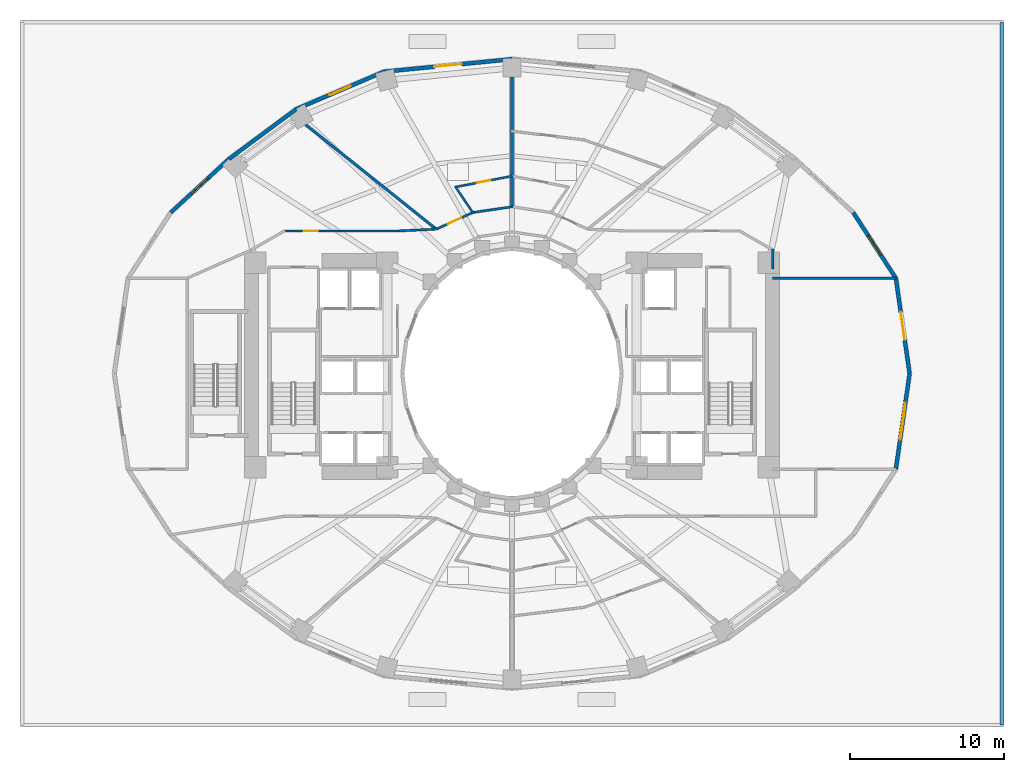
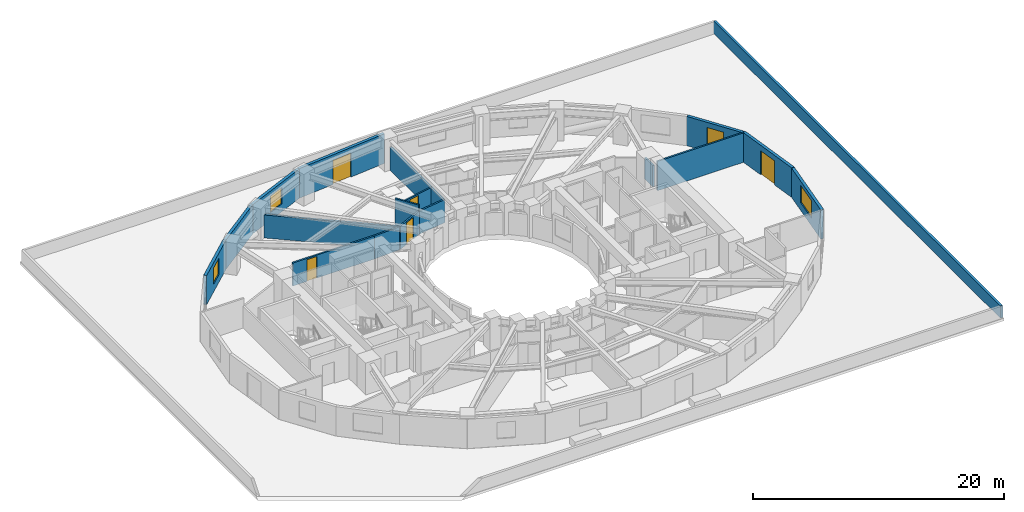
# One storey, part 7 of 10: 18 walls, 5 doors, 4 windows, 9 openings.
"""IFC4 building model written with IfcOpenShell, lengths in metres."""

from ifc_helpers import new_model, si_unit, direction, frame, frame_2d, origin, place, context, subcontext, project, spatial, rectangle, extrude, material, layer, layer_set, type_object, element, fill, save


model = new_model("IFC4")

# Units and contexts
model_context = context("Model", 3, precision=1e-05, world=origin(), true_north=direction((0.0, 1.0)))
body_context = subcontext(model_context, "Body", "Model", "MODEL_VIEW")
ifc_project = project(units=[si_unit("LENGTHUNIT", "METRE"), si_unit("AREAUNIT", "SQUARE_METRE"), si_unit("VOLUMEUNIT", "CUBIC_METRE"), si_unit("PLANEANGLEUNIT", "RADIAN"), si_unit("MASSUNIT", "GRAM", prefix="KILO")], contexts=[model_context])

# Site, building, storey
site_placement = place(None, origin())
site = spatial("IfcSite", under=ifc_project, at=site_placement, CompositionType="ELEMENT")
building_placement = place(site_placement, origin())
building = spatial("IfcBuilding", under=site, at=building_placement, Name="Solvane Sanctuary Tower", CompositionType="ELEMENT")
storey_placement = place(building_placement, frame((0.0, 0.0, 27.60009765625)))
storey = spatial("IfcBuildingStorey", under=building, at=storey_placement, Name="L07", CompositionType="ELEMENT", Elevation=27.60009765625)

# Walls
ifc_material_1 = material(Name="Acoustic Gypsum Partition Board")
ifc_layer_1 = layer(ifc_material_1, 0.14990234375, Name="Acoustic Gypsum Partition Board")
ifc_layer_set_1 = layer_set([ifc_layer_1], Name="Acoustic Gypsum Partition Board")
wall_type_1 = type_object("IfcWallType", Name="Wall W-CORR-150", PredefinedType="PARTITIONING", material=ifc_layer_set_1)
wall_1_placement = place(storey_placement, frame((48.949951171875, 29.211669921875, 0.0), z_axis=(0.0, 0.0, 1.0), x_axis=(1.0, 0.0, 0.0)))
element("IfcWall", 1, at=wall_1_placement, inside=storey, type_object=wall_type_1, Name="L07 East Shoulder North Wall", PredefinedType="PARTITIONING", context=body_context, shape_type="SweptSolid", body=[
    extrude(rectangle(XDim=8.036376953125, YDim=0.14990234375, at=frame_2d((4.01806640625, 0.0))), origin(), (0.0, 0.0, 1.0), 2.85498046875),
])
wall_2_placement = place(storey_placement, frame((48.949951171875, 29.800048828125, 0.0), z_axis=(0.0, 0.0, 1.0), x_axis=(0.0, 1.0, 0.0)))
element("IfcWall", 2, at=wall_2_placement, inside=storey, type_object=wall_type_1, Name="L07 NE Corner Closer 1", PredefinedType="PARTITIONING", context=body_context, shape_type="SweptSolid", body=[
    extrude(rectangle(XDim=1.2900390625, YDim=0.14990234375, at=frame_2d((0.64501953125, 0.0))), origin(), (0.0, 0.0, 1.0), 2.06884765625),
])
wall_3_placement = place(storey_placement, frame((27.02001953125, 32.393798828125, 0.0), z_axis=(0.0, 0.0, 1.0), x_axis=(-0.998877427952, -0.047369651964, 0.0)))
element("IfcWall", 3, at=wall_3_placement, inside=storey, type_object=wall_type_1, Name="L07 NW Corner Throat Wall", PredefinedType="PARTITIONING", context=body_context, shape_type="SweptSolid", body=[
    extrude(rectangle(XDim=2.4326171875, YDim=0.14990234375, at=frame_2d((1.21630859375, 0.0))), origin(), (0.0, 0.0, 1.0), 2.23681640625),
])

# Wall, opening, door
wall_4_placement = place(storey_placement, frame((17.14990234375, 32.280029296875, 0.0), z_axis=(0.0, 0.0, 1.0), x_axis=(1.0, 0.0, 0.0)))
wall_4 = element("IfcWall", 4, at=wall_4_placement, inside=storey, type_object=wall_type_1, Name="L07 NW Corner Corridor Wall", PredefinedType="PARTITIONING", context=body_context, shape_type="SweptSolid", body=[
    extrude(rectangle(XDim=7.52001953125, YDim=0.14990234375, at=frame_2d((3.760009765625, 0.0))), origin(), (0.0, 0.0, 1.0), 2.23681640625),
])
opening_1_placement = place(wall_4_placement, frame((1.300048828125, 0.0, 0.0)))
opening_1 = element("IfcOpeningElement", 5, at=opening_1_placement, cuts=wall_4, Name="Opening D-L07-15", PredefinedType="OPENING", context=body_context, shape_type="SweptSolid", body=[
    extrude(rectangle(XDim=0.89990234375, YDim=2.10009765625, at=frame_2d((0.449951171875, 1.050048828125))), frame((0.0, 0.0849609375, 0.0), z_axis=(0.0, -1.0, 0.0), x_axis=(1.0, 0.0, 0.0)), (0.0, 0.0, 1.0), 0.169921875),
])
ifc_material_2 = material(Name="Engineered Tropical Hardwood", Category="wood")
door_type_1 = type_object("IfcDoorType", Name="Door D-WET-900", OperationType="NOTDEFINED", PredefinedType="DOOR", material=ifc_material_2)
door_1_placement = place(opening_1_placement, origin())
door_1 = element("IfcDoor", 6, at=door_1_placement, inside=storey, type_object=door_type_1, Name="L07 NW Corner Salon Door", OperationType="SINGLE_SWING_LEFT", OverallHeight=2.10009765625, OverallWidth=0.89990234375, PredefinedType="DOOR", context=body_context, shape_type="SweptSolid", body=[
    extrude(rectangle(XDim=0.89990234375, YDim=2.10009765625, at=frame_2d((0.449951171875, 1.050048828125))), frame((0.0, 0.02490234375, 0.0), z_axis=(0.0, -1.0, 0.0), x_axis=(1.0, 0.0, 0.0)), (0.0, 0.0, 1.0), 0.050048828125),
])
fill(opening_1, door_1)

# Wall
wall_5_placement = place(storey_placement, frame((32.049560546875, 33.857177734375, 0.0), z_axis=(0.0, 0.0, 1.0), x_axis=(-0.989649898776, -0.143502884474, 0.0)))
element("IfcWall", 7, at=wall_5_placement, inside=storey, type_object=wall_type_1, Name="L07 En-suite Inner Wall N2", PredefinedType="PARTITIONING", context=body_context, shape_type="SweptSolid", body=[
    extrude(rectangle(XDim=2.676025390625, YDim=0.14990234375, at=frame_2d((1.337890625, 0.0))), origin(), (0.0, 0.0, 1.0), 2.23681640625),
])

# Wall, opening, door
wall_6_placement = place(storey_placement, frame((29.457275390625, 33.482421875, 0.0), z_axis=(0.0, 0.0, 1.0), x_axis=(-0.909747571199, -0.415161843982, 0.0)))
wall_6 = element("IfcWall", 8, at=wall_6_placement, inside=storey, type_object=wall_type_1, Name="L07 Unit Corridor Wall N2", PredefinedType="PARTITIONING", context=body_context, shape_type="SweptSolid", body=[
    extrude(rectangle(XDim=2.625, YDim=0.14990234375, at=frame_2d((1.3125, 0.0))), origin(), (0.0, 0.0, 1.0), 2.23681640625),
])
opening_2_placement = place(wall_6_placement, frame((0.837646484375, 0.0, 0.0)))
opening_2 = element("IfcOpeningElement", 9, at=opening_2_placement, cuts=wall_6, Name="Opening D-L07-22", PredefinedType="OPENING", context=body_context, shape_type="SweptSolid", body=[
    extrude(rectangle(XDim=0.949951171875, YDim=2.10009765625, at=frame_2d((0.47509765625, 1.050048828125))), frame((0.0, 0.0849609375, 0.0), z_axis=(0.0, -1.0, 0.0), x_axis=(1.0, 0.0, 0.0)), (0.0, 0.0, 1.0), 0.169921875),
])
door_type_2 = type_object("IfcDoorType", Name="Door D-ROOM-950", OperationType="NOTDEFINED", PredefinedType="DOOR", material=ifc_material_2)
door_2_placement = place(opening_2_placement, origin())
door_2 = element("IfcDoor", 10, at=door_2_placement, inside=storey, type_object=door_type_2, Name="L07 Unit Entrance Door N2", OperationType="SINGLE_SWING_RIGHT", OverallHeight=2.10009765625, OverallWidth=0.949951171875, PredefinedType="DOOR", context=body_context, shape_type="SweptSolid", body=[
    extrude(rectangle(XDim=0.949951171875, YDim=2.10009765625, at=frame_2d((0.47509765625, 1.050048828125))), frame((0.0, 0.02490234375, 0.0), z_axis=(0.0, -1.0, 0.0), x_axis=(1.0, 0.0, 0.0)), (0.0, 0.0, 1.0), 0.050048828125),
])
fill(opening_2, door_2)

ifc_material_3 = material(Name="Precast concrete C40/50", Category="concrete")
ifc_layer_2 = layer(ifc_material_3, 0.260009765625, Name="Precast concrete C40/50")
ifc_layer_set_2 = layer_set([ifc_layer_2], Name="Precast concrete C40/50")
wall_type_2 = type_object("IfcWallType", Name="Wall W-EXT-250", PredefinedType="STANDARD", material=ifc_layer_set_2)
wall_7_placement = place(storey_placement, frame((57.860107421875, 23.0, 0.0), z_axis=(0.0, 0.0, 1.0), x_axis=(-0.142528001686, 0.989790770181, 0.0)))
wall_7 = element("IfcWall", 11, at=wall_7_placement, inside=storey, type_object=wall_type_2, Name="L07 Terrace Access Facade Wall 00", PredefinedType="STANDARD", context=body_context, shape_type="SweptSolid", body=[
    extrude(rectangle(XDim=6.269287109375, YDim=0.260009765625, at=frame_2d((3.134765625, 0.0))), origin(), (0.0, 0.0, 1.0), 2.8798828125),
])
opening_3_placement = place(wall_7_placement, frame((2.234619140625, 0.0, 0.0)))
opening_3 = element("IfcOpeningElement", 12, at=opening_3_placement, cuts=wall_7, Name="Opening D-L07-01", PredefinedType="OPENING", context=body_context, shape_type="SweptSolid", body=[
    extrude(rectangle(XDim=1.800048828125, YDim=2.35009765625, at=frame_2d((0.89990234375, 1.175048828125))), frame((0.0, 0.139892578125, 0.0), z_axis=(0.0, -1.0, 0.0), x_axis=(1.0, 0.0, 0.0)), (0.0, 0.0, 1.0), 0.280029296875),
])
ifc_material_4 = material(Name="Anodised Aluminium 6063-T6", Category="aluminium")
door_type_3 = type_object("IfcDoorType", Name="Door D-TERR-1800", OperationType="NOTDEFINED", PredefinedType="DOOR", material=ifc_material_4)
door_3_placement = place(opening_3_placement, origin())
door_3 = element("IfcDoor", 13, at=door_3_placement, inside=storey, type_object=door_type_3, Name="L07 Podium Sky Terrace Door 00", OperationType="SINGLE_SWING_RIGHT", OverallHeight=2.35009765625, OverallWidth=1.800048828125, PredefinedType="DOOR", context=body_context, shape_type="SweptSolid", body=[
    extrude(rectangle(XDim=1.800048828125, YDim=2.35009765625, at=frame_2d((0.89990234375, 1.175048828125))), frame((0.0, 0.02490234375, 0.0), z_axis=(0.0, -1.0, 0.0), x_axis=(1.0, 0.0, 0.0)), (0.0, 0.0, 1.0), 0.050048828125),
])
fill(opening_3, door_3)

# Wall, opening, window
wall_8_placement = place(storey_placement, frame((56.966552734375, 29.205322265625, 0.0), z_axis=(0.0, 0.0, 1.0), x_axis=(-0.544578722263, 0.838709732421, 0.0)))
wall_8 = element("IfcWall", 14, at=wall_8_placement, inside=storey, type_object=wall_type_2, Name="L07 Ceramic-Printed Facade Wall 01", PredefinedType="STANDARD", context=body_context, shape_type="SweptSolid", body=[
    extrude(rectangle(XDim=5.091552734375, YDim=0.260009765625, at=frame_2d((2.5458984375, 0.0))), origin(), (0.0, 0.0, 1.0), 2.849853515625),
])
opening_4_placement = place(wall_8_placement, frame((1.795654296875, 0.0, 0.75)))
opening_4 = element("IfcOpeningElement", 15, at=opening_4_placement, cuts=wall_8, Name="Opening WN-OPER-1500", PredefinedType="OPENING", context=body_context, shape_type="SweptSolid", body=[
    extrude(rectangle(XDim=1.5, YDim=1.60009765625, at=frame_2d((0.75, 0.800048828125))), frame((0.0, 0.139892578125, 0.0), z_axis=(0.0, -1.0, 0.0), x_axis=(1.0, 0.0, 0.0)), (0.0, 0.0, 1.0), 0.280029296875),
])
ifc_material_5 = material(Name="Dark Ceramic-Fritted Low-E Glass", Category="glass")
window_type_1 = type_object("IfcWindowType", Name="Window WN-OPER-1500", PartitioningType="SINGLE_PANEL", PredefinedType="WINDOW", material=ifc_material_5)
window_1_placement = place(opening_4_placement, origin())
window_1 = element("IfcWindow", 16, at=window_1_placement, inside=storey, type_object=window_type_1, Name="L07 Operable Facade Window 01", OverallHeight=1.60009765625, OverallWidth=1.5, PartitioningType="SINGLE_PANEL", PredefinedType="WINDOW", context=body_context, shape_type="SweptSolid", body=[
    extrude(rectangle(XDim=1.5, YDim=1.60009765625, at=frame_2d((0.75, 0.800048828125))), frame((0.0, 0.030029296875, 0.0), z_axis=(0.0, -1.0, 0.0), x_axis=(1.0, 0.0, 0.0)), (0.0, 0.0, 1.0), 0.06005859375),
])
fill(opening_4, window_1)

# Wall, opening, door
wall_9_placement = place(storey_placement, frame((32.0, 43.451416015625, 0.0), z_axis=(0.0, 0.0, 1.0), x_axis=(-0.995247718352, -0.097375454379, 0.0)))
wall_9 = element("IfcWall", 17, at=wall_9_placement, inside=storey, type_object=wall_type_2, Name="L07 Terrace Access Facade Wall 06", PredefinedType="STANDARD", context=body_context, shape_type="SweptSolid", body=[
    extrude(rectangle(XDim=8.37158203125, YDim=0.260009765625, at=frame_2d((4.185791015625, 0.0))), origin(), (0.0, 0.0, 1.0), 2.8798828125),
])
opening_5_placement = place(wall_9_placement, frame((3.28564453125, 0.0, 0.0)))
opening_5 = element("IfcOpeningElement", 18, at=opening_5_placement, cuts=wall_9, Name="Opening D-L07-02", PredefinedType="OPENING", context=body_context, shape_type="SweptSolid", body=[
    extrude(rectangle(XDim=1.800048828125, YDim=2.35009765625, at=frame_2d((0.89990234375, 1.175048828125))), frame((0.0, 0.139892578125, 0.0), z_axis=(0.0, -1.0, 0.0), x_axis=(1.0, 0.0, 0.0)), (0.0, 0.0, 1.0), 0.280029296875),
])
door_4_placement = place(opening_5_placement, origin())
door_4 = element("IfcDoor", 19, at=door_4_placement, inside=storey, type_object=door_type_3, Name="L07 Podium Sky Terrace Door 06", OperationType="SINGLE_SWING_LEFT", OverallHeight=2.35009765625, OverallWidth=1.800048828125, PredefinedType="DOOR", context=body_context, shape_type="SweptSolid", body=[
    extrude(rectangle(XDim=1.800048828125, YDim=2.35009765625, at=frame_2d((0.89990234375, 1.175048828125))), frame((0.0, 0.02490234375, 0.0), z_axis=(0.0, -1.0, 0.0), x_axis=(1.0, 0.0, 0.0)), (0.0, 0.0, 1.0), 0.050048828125),
])
fill(opening_5, door_4)

# Wall, opening, window
wall_10_placement = place(storey_placement, frame((23.668212890625, 42.63623046875, 0.0), z_axis=(0.0, 0.0, 1.0), x_axis=(-0.919612132394, -0.39282760335, 0.0)))
wall_10 = element("IfcWall", 20, at=wall_10_placement, inside=storey, type_object=wall_type_2, Name="L07 Ceramic-Printed Facade Wall 07", PredefinedType="STANDARD", context=body_context, shape_type="SweptSolid", body=[
    extrude(rectangle(XDim=6.20947265625, YDim=0.260009765625, at=frame_2d((3.104736328125, 0.0))), origin(), (0.0, 0.0, 1.0), 2.849853515625),
])
opening_6_placement = place(wall_10_placement, frame((2.354736328125, 0.0, 0.75)))
opening_6 = element("IfcOpeningElement", 21, at=opening_6_placement, cuts=wall_10, Name="Opening WN-OPER-1500", PredefinedType="OPENING", context=body_context, shape_type="SweptSolid", body=[
    extrude(rectangle(XDim=1.5, YDim=1.60009765625, at=frame_2d((0.75, 0.800048828125))), frame((0.0, 0.139892578125, 0.0), z_axis=(0.0, -1.0, 0.0), x_axis=(1.0, 0.0, 0.0)), (0.0, 0.0, 1.0), 0.280029296875),
])
window_2_placement = place(opening_6_placement, origin())
window_2 = element("IfcWindow", 22, at=window_2_placement, inside=storey, type_object=window_type_1, Name="L07 Operable Facade Window 07", OverallHeight=1.60009765625, OverallWidth=1.5, PartitioningType="SINGLE_PANEL", PredefinedType="WINDOW", context=body_context, shape_type="SweptSolid", body=[
    extrude(rectangle(XDim=1.5, YDim=1.60009765625, at=frame_2d((0.75, 0.800048828125))), frame((0.0, 0.030029296875, 0.0), z_axis=(0.0, -1.0, 0.0), x_axis=(1.0, 0.0, 0.0)), (0.0, 0.0, 1.0), 0.06005859375),
])
fill(opening_6, window_2)

# Wall
wall_11_placement = place(storey_placement, frame((17.9580078125, 40.197021484375, 0.0), z_axis=(0.0, 0.0, 1.0), x_axis=(-0.803477531792, -0.595335078679, 0.0)))
element("IfcWall", 23, at=wall_11_placement, inside=storey, type_object=wall_type_2, Name="L07 Ceramic-Printed Facade Wall 08", PredefinedType="STANDARD", context=body_context, shape_type="SweptSolid", body=[
    extrude(rectangle(XDim=5.4296875, YDim=0.260009765625, at=frame_2d((2.71484375, 0.0))), origin(), (0.0, 0.0, 1.0), 2.849853515625),
])

# Wall, opening, window
wall_12_placement = place(storey_placement, frame((13.595458984375, 36.964599609375, 0.0), z_axis=(0.0, 0.0, 1.0), x_axis=(-0.735655109293, -0.67735630223, 0.0)))
wall_12 = element("IfcWall", 24, at=wall_12_placement, inside=storey, type_object=wall_type_2, Name="L07 Ceramic-Printed Facade Wall 09", PredefinedType="STANDARD", context=body_context, shape_type="SweptSolid", body=[
    extrude(rectangle(XDim=5.15087890625, YDim=0.260009765625, at=frame_2d((2.575439453125, 0.0))), origin(), (0.0, 0.0, 1.0), 2.849853515625),
])
opening_7_placement = place(wall_12_placement, frame((1.825439453125, 0.0, 0.75)))
opening_7 = element("IfcOpeningElement", 25, at=opening_7_placement, cuts=wall_12, Name="Opening WN-OPER-1500", PredefinedType="OPENING", context=body_context, shape_type="SweptSolid", body=[
    extrude(rectangle(XDim=1.5, YDim=1.60009765625, at=frame_2d((0.75, 0.800048828125))), frame((0.0, 0.139892578125, 0.0), z_axis=(0.0, -1.0, 0.0), x_axis=(1.0, 0.0, 0.0)), (0.0, 0.0, 1.0), 0.280029296875),
])
window_3_placement = place(opening_7_placement, origin())
window_3 = element("IfcWindow", 26, at=window_3_placement, inside=storey, type_object=window_type_1, Name="L07 Operable Facade Window 09", OverallHeight=1.60009765625, OverallWidth=1.5, PartitioningType="SINGLE_PANEL", PredefinedType="WINDOW", context=body_context, shape_type="SweptSolid", body=[
    extrude(rectangle(XDim=1.5, YDim=1.60009765625, at=frame_2d((0.75, 0.800048828125))), frame((0.0, 0.030029296875, 0.0), z_axis=(0.0, -1.0, 0.0), x_axis=(1.0, 0.0, 0.0)), (0.0, 0.0, 1.0), 0.06005859375),
])
fill(opening_7, window_3)

wall_13_placement = place(storey_placement, frame((56.966552734375, 16.794677734375, 0.0), z_axis=(0.0, 0.0, 1.0), x_axis=(0.142528001686, 0.989790770181, 0.0)))
wall_13 = element("IfcWall", 27, at=wall_13_placement, inside=storey, type_object=wall_type_2, Name="L07 Ceramic-Printed Facade Wall 23", PredefinedType="STANDARD", context=body_context, shape_type="SweptSolid", body=[
    extrude(rectangle(XDim=6.269287109375, YDim=0.260009765625, at=frame_2d((3.134765625, 0.0))), origin(), (0.0, 0.0, 1.0), 2.849853515625),
])
opening_8_placement = place(wall_13_placement, frame((1.9345703125, 0.0, 0.75)))
opening_8 = element("IfcOpeningElement", 28, at=opening_8_placement, cuts=wall_13, Name="Opening WN-RIB-2400", PredefinedType="OPENING", context=body_context, shape_type="SweptSolid", body=[
    extrude(rectangle(XDim=2.39990234375, YDim=1.699951171875, at=frame_2d((1.199951171875, 0.85009765625))), frame((0.0, 0.139892578125, 0.0), z_axis=(0.0, -1.0, 0.0), x_axis=(1.0, 0.0, 0.0)), (0.0, 0.0, 1.0), 0.280029296875),
])
window_type_2 = type_object("IfcWindowType", Name="Window WN-RIB-2400", PartitioningType="SINGLE_PANEL", PredefinedType="WINDOW", material=ifc_material_5)
window_4_placement = place(opening_8_placement, origin())
window_4 = element("IfcWindow", 29, at=window_4_placement, inside=storey, type_object=window_type_2, Name="L07 Operable Facade Window 23", OverallHeight=1.699951171875, OverallWidth=2.39990234375, PartitioningType="SINGLE_PANEL", PredefinedType="WINDOW", context=body_context, shape_type="SweptSolid", body=[
    extrude(rectangle(XDim=2.39990234375, YDim=1.699951171875, at=frame_2d((1.199951171875, 0.85009765625))), frame((0.0, 0.030029296875, 0.0), z_axis=(0.0, -1.0, 0.0), x_axis=(1.0, 0.0, 0.0)), (0.0, 0.0, 1.0), 0.06005859375),
])
fill(opening_8, window_4)

# Walls
ifc_layer_3 = layer(ifc_material_3, 0.2099609375, Name="Precast concrete C40/50")
ifc_layer_set_3 = layer_set([ifc_layer_3], Name="Precast concrete C40/50")
wall_type_3 = type_object("IfcWallType", Name="Wall W-PARAPET-200", PredefinedType="PARAPET", material=ifc_layer_set_3)
wall_14_placement = place(storey_placement, frame((63.85009765625, 0.14990234375, 0.0), z_axis=(0.0, 0.0, 1.0), x_axis=(0.0, 1.0, 0.0)))
element("IfcWall", 30, at=wall_14_placement, inside=storey, type_object=wall_type_3, Name="L07 Podium Roof Perimeter Parapet E", PredefinedType="PARAPET", context=body_context, shape_type="SweptSolid", body=[
    extrude(rectangle(XDim=45.7001953125, YDim=0.2099609375, at=frame_2d((22.85009765625, 0.0))), origin(), (0.0, 0.0, 1.0), 1.199951171875),
])
ifc_layer_4 = layer(ifc_material_1, 0.179931640625, Name="Acoustic Gypsum Partition Board")
ifc_layer_set_4 = layer_set([ifc_layer_4], Name="Acoustic Gypsum Partition Board")
wall_type_4 = type_object("IfcWallType", Name="Wall W-UNIT-180", PredefinedType="PARTITIONING", material=ifc_layer_set_4)
wall_15_placement = place(storey_placement, frame((32.0, 33.905029296875, 0.0), z_axis=(0.0, 0.0, 1.0), x_axis=(0.0, 1.0, 0.0)))
element("IfcWall", 31, at=wall_15_placement, inside=storey, type_object=wall_type_4, Name="L07 Radial Compartment Wall 090", PredefinedType="PARTITIONING", context=body_context, shape_type="SweptSolid", body=[
    extrude(rectangle(XDim=8.39501953125, YDim=0.179931640625, at=frame_2d((4.197509765625, 0.0))), origin(), (0.0, 0.0, 1.0), 2.23681640625),
])
wall_16_placement = place(storey_placement, frame((27.031982421875, 32.4306640625, 0.0), z_axis=(0.0, 0.0, 1.0), x_axis=(-0.781055486744, 0.624461629428, 0.0)))
element("IfcWall", 32, at=wall_16_placement, inside=storey, type_object=wall_type_4, Name="L07 Radial Compartment Wall 120", PredefinedType="PARTITIONING", context=body_context, shape_type="SweptSolid", body=[
    extrude(rectangle(XDim=10.84326171875, YDim=0.179931640625, at=frame_2d((5.421630859375, 0.0))), origin(), (0.0, 0.0, 1.0), 2.23681640625),
])
ifc_layer_5 = layer(ifc_material_1, 0.139892578125, Name="Acoustic Gypsum Partition Board")
ifc_layer_set_5 = layer_set([ifc_layer_5], Name="Acoustic Gypsum Partition Board")
wall_type_5 = type_object("IfcWallType", Name="Wall W-WET-140", PredefinedType="PLUMBINGWALL", material=ifc_layer_set_5)
wall_17_placement = place(storey_placement, frame((29.478515625, 33.43896484375, 0.0), z_axis=(0.0, 0.0, 1.0), x_axis=(-0.56056273171, 0.828111963335, 0.0)))
element("IfcWall", 33, at=wall_17_placement, inside=storey, type_object=wall_type_5, Name="L07 En-suite Side Partition N2", PredefinedType="PLUMBINGWALL", context=body_context, shape_type="SweptSolid", body=[
    extrude(rectangle(XDim=2.099609375, YDim=0.139892578125, at=frame_2d((1.0498046875, 0.0))), origin(), (0.0, 0.0, 1.0), 2.85498046875),
])

# Wall, opening, door
wall_18_placement = place(storey_placement, frame((32.049072265625, 35.859619140625, 0.0), z_axis=(0.0, 0.0, 1.0), x_axis=(-0.981623000654, -0.190830512727, 0.0)))
wall_18 = element("IfcWall", 34, at=wall_18_placement, inside=storey, type_object=wall_type_5, Name="L07 En-suite Bedroom Wall N2", PredefinedType="PLUMBINGWALL", context=body_context, shape_type="SweptSolid", body=[
    extrude(rectangle(XDim=3.83935546875, YDim=0.139892578125, at=frame_2d((1.919677734375, 0.0))), origin(), (0.0, 0.0, 1.0), 2.23681640625),
])
opening_9_placement = place(wall_18_placement, frame((1.4697265625, 0.0, 0.0)))
opening_9 = element("IfcOpeningElement", 35, at=opening_9_placement, cuts=wall_18, Name="Opening D-L07-21", PredefinedType="OPENING", context=body_context, shape_type="SweptSolid", body=[
    extrude(rectangle(XDim=0.89990234375, YDim=2.10009765625, at=frame_2d((0.449951171875, 1.050048828125))), frame((0.0, 0.079833984375, 0.0), z_axis=(0.0, -1.0, 0.0), x_axis=(1.0, 0.0, 0.0)), (0.0, 0.0, 1.0), 0.159912109375),
])
door_5_placement = place(opening_9_placement, origin())
door_5 = element("IfcDoor", 36, at=door_5_placement, inside=storey, type_object=door_type_1, Name="L07 En-suite Bathroom Door N2", OperationType="SINGLE_SWING_LEFT", OverallHeight=2.10009765625, OverallWidth=0.89990234375, PredefinedType="DOOR", context=body_context, shape_type="SweptSolid", body=[
    extrude(rectangle(XDim=0.89990234375, YDim=2.10009765625, at=frame_2d((0.449951171875, 1.050048828125))), frame((0.0, 0.02490234375, 0.0), z_axis=(0.0, -1.0, 0.0), x_axis=(1.0, 0.0, 0.0)), (0.0, 0.0, 1.0), 0.050048828125),
])
fill(opening_9, door_5)

save(model, "model.ifc")
